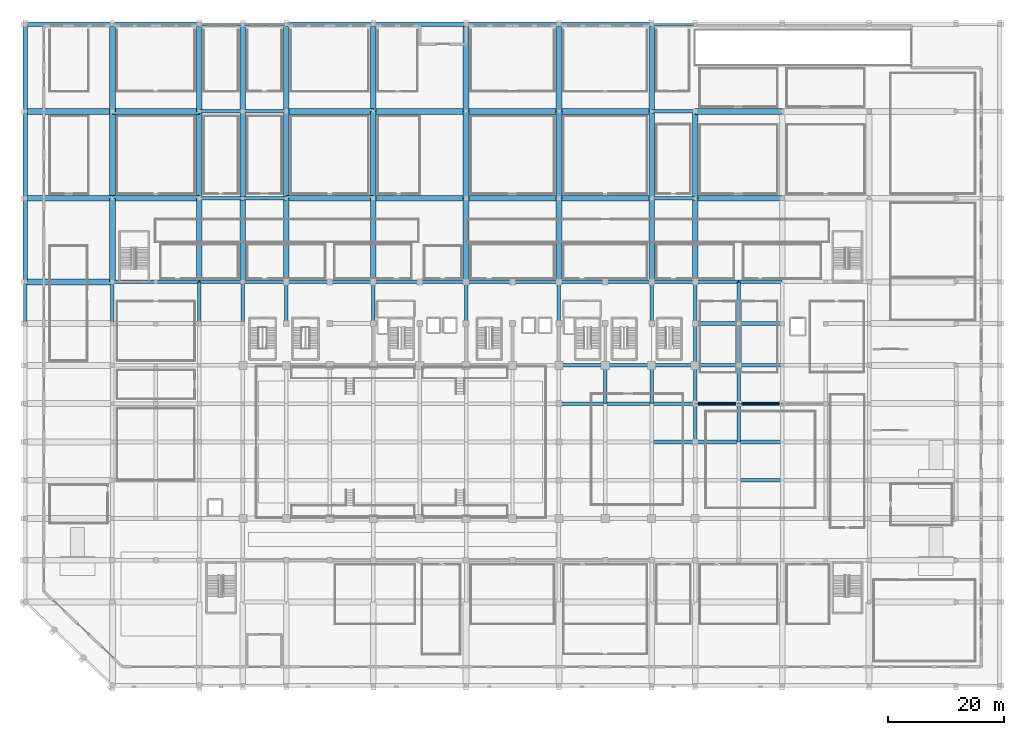
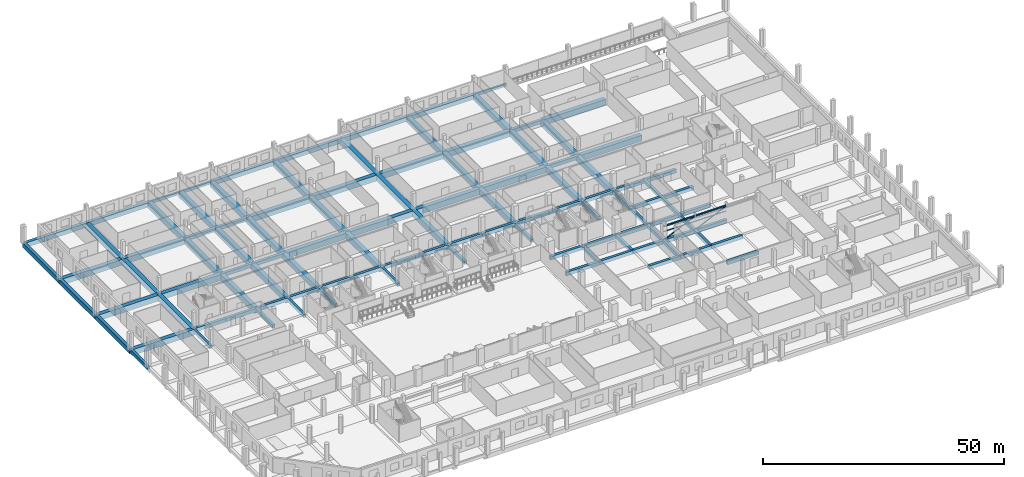
# One storey, part 7 of 33: 111 beams, 4 members.
"""IFC4 building model written with IfcOpenShell, lengths in metres."""

from ifc_helpers import new_model, si_unit, direction, frame, origin, origin_2d, place, context, subcontext, project, spatial, rectangle, hollow_rectangle, hollow_circle, i_section, extrude, material, material_profile, profile_set, type_object, element, save


model = new_model("IFC4")

# Units and contexts
model_context = context("Model", 3, precision=1e-05, world=origin(), true_north=direction((0.0, 1.0)))
body_context = subcontext(model_context, "Body", "Model", "MODEL_VIEW")
ifc_project = project(units=[si_unit("LENGTHUNIT", "METRE"), si_unit("AREAUNIT", "SQUARE_METRE"), si_unit("VOLUMEUNIT", "CUBIC_METRE"), si_unit("PLANEANGLEUNIT", "RADIAN"), si_unit("MASSUNIT", "GRAM", prefix="KILO")], contexts=[model_context])

# Site, building, storey
site_placement = place(None, origin())
site = spatial("IfcSite", under=ifc_project, at=site_placement, CompositionType="ELEMENT")
building_placement = place(site_placement, origin())
building = spatial("IfcBuilding", under=site, at=building_placement, Name="Akrevak Sports Hall", CompositionType="ELEMENT")
storey_placement = place(building_placement, origin())
storey = spatial("IfcBuildingStorey", under=building, at=storey_placement, Name="L00", CompositionType="ELEMENT", Elevation=0.0)

# Beams
ifc_material_1 = material(Name="Concrete C50/60", Category="concrete")
ifc_material_profile_1 = material_profile(ifc_material_1, rectangle(XDim=1.0, YDim=1.449951171875, at=origin_2d()), Name="BM 1000x1450", Category="concrete")
ifc_profile_set_1 = profile_set([ifc_material_profile_1], Name="Concrete C50/60")
beam_type_1 = type_object("IfcBeamType", Name="STR-BM-LG1000x1450", PredefinedType="BEAM", material=ifc_profile_set_1)
for number, where, z_axis, x_axis, name in (
    (1, (0.0, 69.60009765625, -0.72509765625), (1.0, 0.0, 0.0), (0.0, 1.0, 0.0), "Girder K/1-3 (L00)"),
    (2, (0.0, 84.0, -0.72509765625), (1.0, 0.0, 0.0), (0.0, 1.0, 0.0), "Girder M/1-3 (L00)"),
    (3, (15.0, 84.0, -0.72509765625), (1.0, 0.0, 0.0), (0.0, 1.0, 0.0), "Girder M/3-5 (L00)"),
    (4, (45.0, 84.0, -0.72509765625), (1.0, 0.0, 0.0), (0.0, 1.0, 0.0), "Girder M/7-9 (L00)"),
):
    element("IfcBeam", number, at=place(storey_placement, frame(where, z_axis=z_axis, x_axis=x_axis)), inside=storey, type_object=beam_type_1, Name=name, PredefinedType="BEAM", context=body_context, shape_type="SweptSolid", body=[
        extrude(rectangle(XDim=1.0, YDim=1.449951171875, at=origin_2d()), origin(), (0.0, 0.0, 1.0), 15.0),
    ])
for number, where, z_axis, x_axis, name in (
    (5, (60.0, 84.0, -0.72509765625), (1.0, 0.0, 0.0), (0.0, 1.0, 0.0), "Girder M/9-11 (L00)"),
    (6, (76.0, 84.0, -0.72509765625), (1.0, 0.0, 0.0), (0.0, 1.0, 0.0), "Girder M/11-13 (L00)"),
    (7, (92.0, 84.0, -0.72509765625), (1.0, 0.0, 0.0), (0.0, 1.0, 0.0), "Girder M/13-15 (L00)"),
):
    element("IfcBeam", number, at=place(storey_placement, frame(where, z_axis=z_axis, x_axis=x_axis)), inside=storey, type_object=beam_type_1, Name=name, PredefinedType="BEAM", context=body_context, shape_type="SweptSolid", body=[
        extrude(rectangle(XDim=1.0, YDim=1.449951171875, at=origin_2d()), origin(), (0.0, 0.0, 1.0), 16.0),
    ])
for number, where, z_axis, x_axis, name in (
    (8, (115.5, 84.0, -0.72509765625), (1.0, 0.0, 0.0), (0.0, 1.0, 0.0), "Girder M/16-18 (L00)"),
    (9, (0.0, 99.0, -0.72509765625), (1.0, 0.0, 0.0), (0.0, 1.0, 0.0), "Girder O/1-3 (L00)"),
    (10, (15.0, 99.0, -0.72509765625), (1.0, 0.0, 0.0), (0.0, 1.0, 0.0), "Girder O/3-5 (L00)"),
    (11, (45.0, 99.0, -0.72509765625), (1.0, 0.0, 0.0), (0.0, 1.0, 0.0), "Girder O/7-9 (L00)"),
):
    element("IfcBeam", number, at=place(storey_placement, frame(where, z_axis=z_axis, x_axis=x_axis)), inside=storey, type_object=beam_type_1, Name=name, PredefinedType="BEAM", context=body_context, shape_type="SweptSolid", body=[
        extrude(rectangle(XDim=1.0, YDim=1.449951171875, at=origin_2d()), origin(), (0.0, 0.0, 1.0), 15.0),
    ])
for number, where, z_axis, x_axis, name in (
    (12, (60.0, 99.0, -0.72509765625), (1.0, 0.0, 0.0), (0.0, 1.0, 0.0), "Girder O/9-11 (L00)"),
    (13, (76.0, 99.0, -0.72509765625), (1.0, 0.0, 0.0), (0.0, 1.0, 0.0), "Girder O/11-13 (L00)"),
    (14, (92.0, 99.0, -0.72509765625), (1.0, 0.0, 0.0), (0.0, 1.0, 0.0), "Girder O/13-15 (L00)"),
):
    element("IfcBeam", number, at=place(storey_placement, frame(where, z_axis=z_axis, x_axis=x_axis)), inside=storey, type_object=beam_type_1, Name=name, PredefinedType="BEAM", context=body_context, shape_type="SweptSolid", body=[
        extrude(rectangle(XDim=1.0, YDim=1.449951171875, at=origin_2d()), origin(), (0.0, 0.0, 1.0), 16.0),
    ])
beam_1_placement = place(storey_placement, frame((115.5, 99.0, -0.72509765625), z_axis=(1.0, 0.0, 0.0), x_axis=(0.0, 1.0, 0.0)))
element("IfcBeam", 15, at=beam_1_placement, inside=storey, type_object=beam_type_1, Name="Girder O/16-18 (L00)", PredefinedType="BEAM", context=body_context, shape_type="SweptSolid", body=[
    extrude(rectangle(XDim=1.0, YDim=1.449951171875, at=origin_2d()), origin(), (0.0, 0.0, 1.0), 15.0),
])
beam_2_placement = place(storey_placement, frame((15.0, 69.60009765625, -0.72509765625), z_axis=(0.0, 1.0, 0.0), x_axis=(-1.0, 0.0, 0.0)))
element("IfcBeam", 16, at=beam_2_placement, inside=storey, type_object=beam_type_1, Name="Girder 3/K-M (L00)", PredefinedType="BEAM", context=body_context, shape_type="SweptSolid", body=[
    extrude(rectangle(XDim=1.0, YDim=1.449951171875, at=origin_2d()), origin(), (0.0, 0.0, 1.0), 14.39990234375),
])
for number, where, z_axis, x_axis, name in (
    (17, (15.0, 84.0, -0.72509765625), (0.0, 1.0, 0.0), (-1.0, 0.0, 0.0), "Girder 3/M-O (L00)"),
    (18, (15.0, 99.0, -0.72509765625), (0.0, 1.0, 0.0), (-1.0, 0.0, 0.0), "Girder 3/O-Q (L00)"),
):
    element("IfcBeam", number, at=place(storey_placement, frame(where, z_axis=z_axis, x_axis=x_axis)), inside=storey, type_object=beam_type_1, Name=name, PredefinedType="BEAM", context=body_context, shape_type="SweptSolid", body=[
        extrude(rectangle(XDim=1.0, YDim=1.449951171875, at=origin_2d()), origin(), (0.0, 0.0, 1.0), 15.0),
    ])
beam_3_placement = place(storey_placement, frame((30.0, 69.60009765625, -0.72509765625), z_axis=(0.0, 1.0, 0.0), x_axis=(-1.0, 0.0, 0.0)))
element("IfcBeam", 19, at=beam_3_placement, inside=storey, type_object=beam_type_1, Name="Girder 5/K-M (L00)", PredefinedType="BEAM", context=body_context, shape_type="SweptSolid", body=[
    extrude(rectangle(XDim=1.0, YDim=1.449951171875, at=origin_2d()), origin(), (0.0, 0.0, 1.0), 14.39990234375),
])
for number, where, z_axis, x_axis, name in (
    (20, (30.0, 84.0, -0.72509765625), (0.0, 1.0, 0.0), (-1.0, 0.0, 0.0), "Girder 5/M-O (L00)"),
    (21, (30.0, 99.0, -0.72509765625), (0.0, 1.0, 0.0), (-1.0, 0.0, 0.0), "Girder 5/O-Q (L00)"),
):
    element("IfcBeam", number, at=place(storey_placement, frame(where, z_axis=z_axis, x_axis=x_axis)), inside=storey, type_object=beam_type_1, Name=name, PredefinedType="BEAM", context=body_context, shape_type="SweptSolid", body=[
        extrude(rectangle(XDim=1.0, YDim=1.449951171875, at=origin_2d()), origin(), (0.0, 0.0, 1.0), 15.0),
    ])
beam_4_placement = place(storey_placement, frame((37.5, 69.60009765625, -0.72509765625), z_axis=(0.0, 1.0, 0.0), x_axis=(-1.0, 0.0, 0.0)))
element("IfcBeam", 22, at=beam_4_placement, inside=storey, type_object=beam_type_1, Name="Girder 6/K-M (L00)", PredefinedType="BEAM", context=body_context, shape_type="SweptSolid", body=[
    extrude(rectangle(XDim=1.0, YDim=1.449951171875, at=origin_2d()), origin(), (0.0, 0.0, 1.0), 14.39990234375),
])
for number, where, z_axis, x_axis, name in (
    (23, (37.5, 84.0, -0.72509765625), (0.0, 1.0, 0.0), (-1.0, 0.0, 0.0), "Girder 6/M-O (L00)"),
    (24, (37.5, 99.0, -0.72509765625), (0.0, 1.0, 0.0), (-1.0, 0.0, 0.0), "Girder 6/O-Q (L00)"),
):
    element("IfcBeam", number, at=place(storey_placement, frame(where, z_axis=z_axis, x_axis=x_axis)), inside=storey, type_object=beam_type_1, Name=name, PredefinedType="BEAM", context=body_context, shape_type="SweptSolid", body=[
        extrude(rectangle(XDim=1.0, YDim=1.449951171875, at=origin_2d()), origin(), (0.0, 0.0, 1.0), 15.0),
    ])
beam_5_placement = place(storey_placement, frame((45.0, 69.60009765625, -0.72509765625), z_axis=(0.0, 1.0, 0.0), x_axis=(-1.0, 0.0, 0.0)))
element("IfcBeam", 25, at=beam_5_placement, inside=storey, type_object=beam_type_1, Name="Girder 7/K-M (L00)", PredefinedType="BEAM", context=body_context, shape_type="SweptSolid", body=[
    extrude(rectangle(XDim=1.0, YDim=1.449951171875, at=origin_2d()), origin(), (0.0, 0.0, 1.0), 14.39990234375),
])
for number, where, z_axis, x_axis, name in (
    (26, (45.0, 84.0, -0.72509765625), (0.0, 1.0, 0.0), (-1.0, 0.0, 0.0), "Girder 7/M-O (L00)"),
    (27, (45.0, 99.0, -0.72509765625), (0.0, 1.0, 0.0), (-1.0, 0.0, 0.0), "Girder 7/O-Q (L00)"),
):
    element("IfcBeam", number, at=place(storey_placement, frame(where, z_axis=z_axis, x_axis=x_axis)), inside=storey, type_object=beam_type_1, Name=name, PredefinedType="BEAM", context=body_context, shape_type="SweptSolid", body=[
        extrude(rectangle(XDim=1.0, YDim=1.449951171875, at=origin_2d()), origin(), (0.0, 0.0, 1.0), 15.0),
    ])
beam_6_placement = place(storey_placement, frame((60.0, 69.60009765625, -0.72509765625), z_axis=(0.0, 1.0, 0.0), x_axis=(-1.0, 0.0, 0.0)))
element("IfcBeam", 28, at=beam_6_placement, inside=storey, type_object=beam_type_1, Name="Girder 9/K-M (L00)", PredefinedType="BEAM", context=body_context, shape_type="SweptSolid", body=[
    extrude(rectangle(XDim=1.0, YDim=1.449951171875, at=origin_2d()), origin(), (0.0, 0.0, 1.0), 14.39990234375),
])
for number, where, z_axis, x_axis, name in (
    (29, (60.0, 84.0, -0.72509765625), (0.0, 1.0, 0.0), (-1.0, 0.0, 0.0), "Girder 9/M-O (L00)"),
    (30, (60.0, 99.0, -0.72509765625), (0.0, 1.0, 0.0), (-1.0, 0.0, 0.0), "Girder 9/O-Q (L00)"),
):
    element("IfcBeam", number, at=place(storey_placement, frame(where, z_axis=z_axis, x_axis=x_axis)), inside=storey, type_object=beam_type_1, Name=name, PredefinedType="BEAM", context=body_context, shape_type="SweptSolid", body=[
        extrude(rectangle(XDim=1.0, YDim=1.449951171875, at=origin_2d()), origin(), (0.0, 0.0, 1.0), 15.0),
    ])
beam_7_placement = place(storey_placement, frame((76.0, 69.60009765625, -0.72509765625), z_axis=(0.0, 1.0, 0.0), x_axis=(-1.0, 0.0, 0.0)))
element("IfcBeam", 31, at=beam_7_placement, inside=storey, type_object=beam_type_1, Name="Girder 11/K-M (L00)", PredefinedType="BEAM", context=body_context, shape_type="SweptSolid", body=[
    extrude(rectangle(XDim=1.0, YDim=1.449951171875, at=origin_2d()), origin(), (0.0, 0.0, 1.0), 14.39990234375),
])
for number, where, z_axis, x_axis, name in (
    (32, (76.0, 84.0, -0.72509765625), (0.0, 1.0, 0.0), (-1.0, 0.0, 0.0), "Girder 11/M-O (L00)"),
    (33, (76.0, 99.0, -0.72509765625), (0.0, 1.0, 0.0), (-1.0, 0.0, 0.0), "Girder 11/O-Q (L00)"),
):
    element("IfcBeam", number, at=place(storey_placement, frame(where, z_axis=z_axis, x_axis=x_axis)), inside=storey, type_object=beam_type_1, Name=name, PredefinedType="BEAM", context=body_context, shape_type="SweptSolid", body=[
        extrude(rectangle(XDim=1.0, YDim=1.449951171875, at=origin_2d()), origin(), (0.0, 0.0, 1.0), 15.0),
    ])
beam_8_placement = place(storey_placement, frame((92.0, 69.60009765625, -0.72509765625), z_axis=(0.0, 1.0, 0.0), x_axis=(-1.0, 0.0, 0.0)))
element("IfcBeam", 34, at=beam_8_placement, inside=storey, type_object=beam_type_1, Name="Girder 13/K-M (L00)", PredefinedType="BEAM", context=body_context, shape_type="SweptSolid", body=[
    extrude(rectangle(XDim=1.0, YDim=1.449951171875, at=origin_2d()), origin(), (0.0, 0.0, 1.0), 14.39990234375),
])
for number, where, z_axis, x_axis, name in (
    (35, (92.0, 84.0, -0.72509765625), (0.0, 1.0, 0.0), (-1.0, 0.0, 0.0), "Girder 13/M-O (L00)"),
    (36, (92.0, 99.0, -0.72509765625), (0.0, 1.0, 0.0), (-1.0, 0.0, 0.0), "Girder 13/O-Q (L00)"),
):
    element("IfcBeam", number, at=place(storey_placement, frame(where, z_axis=z_axis, x_axis=x_axis)), inside=storey, type_object=beam_type_1, Name=name, PredefinedType="BEAM", context=body_context, shape_type="SweptSolid", body=[
        extrude(rectangle(XDim=1.0, YDim=1.449951171875, at=origin_2d()), origin(), (0.0, 0.0, 1.0), 15.0),
    ])
beam_9_placement = place(storey_placement, frame((108.0, 69.60009765625, -0.72509765625), z_axis=(0.0, 1.0, 0.0), x_axis=(-1.0, 0.0, 0.0)))
element("IfcBeam", 37, at=beam_9_placement, inside=storey, type_object=beam_type_1, Name="Girder 15/K-M (L00)", PredefinedType="BEAM", context=body_context, shape_type="SweptSolid", body=[
    extrude(rectangle(XDim=1.0, YDim=1.449951171875, at=origin_2d()), origin(), (0.0, 0.0, 1.0), 14.39990234375),
])
for number, where, z_axis, x_axis, name in (
    (38, (108.0, 84.0, -0.72509765625), (0.0, 1.0, 0.0), (-1.0, 0.0, 0.0), "Girder 15/M-O (L00)"),
    (39, (108.0, 99.0, -0.72509765625), (0.0, 1.0, 0.0), (-1.0, 0.0, 0.0), "Girder 15/O-Q (L00)"),
):
    element("IfcBeam", number, at=place(storey_placement, frame(where, z_axis=z_axis, x_axis=x_axis)), inside=storey, type_object=beam_type_1, Name=name, PredefinedType="BEAM", context=body_context, shape_type="SweptSolid", body=[
        extrude(rectangle(XDim=1.0, YDim=1.449951171875, at=origin_2d()), origin(), (0.0, 0.0, 1.0), 15.0),
    ])
beam_10_placement = place(storey_placement, frame((115.5, 69.60009765625, -0.72509765625), z_axis=(0.0, 1.0, 0.0), x_axis=(-1.0, 0.0, 0.0)))
element("IfcBeam", 40, at=beam_10_placement, inside=storey, type_object=beam_type_1, Name="Girder 16/K-M (L00)", PredefinedType="BEAM", context=body_context, shape_type="SweptSolid", body=[
    extrude(rectangle(XDim=1.0, YDim=1.449951171875, at=origin_2d()), origin(), (0.0, 0.0, 1.0), 14.39990234375),
])
beam_11_placement = place(storey_placement, frame((115.5, 84.0, -0.72509765625), z_axis=(0.0, 1.0, 0.0), x_axis=(-1.0, 0.0, 0.0)))
element("IfcBeam", 41, at=beam_11_placement, inside=storey, type_object=beam_type_1, Name="Girder 16/M-O (L00)", PredefinedType="BEAM", context=body_context, shape_type="SweptSolid", body=[
    extrude(rectangle(XDim=1.0, YDim=1.449951171875, at=origin_2d()), origin(), (0.0, 0.0, 1.0), 15.0),
])
ifc_material_2 = material(Name="Concrete C40/50", Category="concrete")
ifc_material_profile_2 = material_profile(ifc_material_2, rectangle(XDim=0.60009765625, YDim=0.85009765625, at=origin_2d()), Name="BM 600x850", Category="concrete")
ifc_profile_set_2 = profile_set([ifc_material_profile_2], Name="Concrete C40/50")
beam_type_2 = type_object("IfcBeamType", Name="STR-BM-RC600x850", PredefinedType="BEAM", material=ifc_profile_set_2)
for number, where, z_axis, x_axis, name in (
    (42, (0.0, 62.39990234375, -0.425048828125), (0.0, 1.0, 0.0), (-1.0, 0.0, 0.0), "Girder 1/J-K (L00)"),
    (43, (15.0, 62.39990234375, -0.425048828125), (0.0, 1.0, 0.0), (-1.0, 0.0, 0.0), "Girder 3/J-K (L00)"),
    (44, (30.0, 62.39990234375, -0.425048828125), (0.0, 1.0, 0.0), (-1.0, 0.0, 0.0), "Girder 5/J-K (L00)"),
    (45, (37.5, 62.39990234375, -0.425048828125), (0.0, 1.0, 0.0), (-1.0, 0.0, 0.0), "Girder 6/J-K (L00)"),
    (46, (45.0, 62.39990234375, -0.425048828125), (0.0, 1.0, 0.0), (-1.0, 0.0, 0.0), "Girder 7/J-K (L00)"),
    (47, (60.0, 62.39990234375, -0.425048828125), (0.0, 1.0, 0.0), (-1.0, 0.0, 0.0), "Girder 9/J-K (L00)"),
    (48, (76.0, 62.39990234375, -0.425048828125), (0.0, 1.0, 0.0), (-1.0, 0.0, 0.0), "Girder 11/J-K (L00)"),
    (49, (92.0, 62.39990234375, -0.425048828125), (0.0, 1.0, 0.0), (-1.0, 0.0, 0.0), "Girder 13/J-K (L00)"),
):
    element("IfcBeam", number, at=place(storey_placement, frame(where, z_axis=z_axis, x_axis=x_axis)), inside=storey, type_object=beam_type_2, Name=name, PredefinedType="BEAM", context=body_context, shape_type="SweptSolid", body=[
        extrude(rectangle(XDim=0.60009765625, YDim=0.85009765625, at=origin_2d()), origin(), (0.0, 0.0, 1.0), 7.2001953125),
    ])
for number, where, z_axis, x_axis, name in (
    (50, (100.0, 48.60009765625, -0.425048828125), (0.0, 1.0, 0.0), (-1.0, 0.0, 0.0), "Girder 14/H-I (L00)"),
    (51, (108.0, 48.60009765625, -0.425048828125), (0.0, 1.0, 0.0), (-1.0, 0.0, 0.0), "Girder 15/H-I (L00)"),
):
    element("IfcBeam", number, at=place(storey_placement, frame(where, z_axis=z_axis, x_axis=x_axis)), inside=storey, type_object=beam_type_2, Name=name, PredefinedType="BEAM", context=body_context, shape_type="SweptSolid", body=[
        extrude(rectangle(XDim=0.60009765625, YDim=0.85009765625, at=origin_2d()), origin(), (0.0, 0.0, 1.0), 6.599853515625),
    ])
beam_12_placement = place(storey_placement, frame((108.0, 62.39990234375, -0.425048828125), z_axis=(0.0, 1.0, 0.0), x_axis=(-1.0, 0.0, 0.0)))
element("IfcBeam", 52, at=beam_12_placement, inside=storey, type_object=beam_type_2, Name="Girder 15/J-K (L00)", PredefinedType="BEAM", context=body_context, shape_type="SweptSolid", body=[
    extrude(rectangle(XDim=0.60009765625, YDim=0.85009765625, at=origin_2d()), origin(), (0.0, 0.0, 1.0), 7.2001953125),
])
beam_13_placement = place(storey_placement, frame((115.5, 42.0, -0.425048828125), z_axis=(0.0, 1.0, 0.0), x_axis=(-1.0, 0.0, 0.0)))
element("IfcBeam", 53, at=beam_13_placement, inside=storey, type_object=beam_type_2, Name="Girder 16/G-H (L00)", PredefinedType="BEAM", context=body_context, shape_type="SweptSolid", body=[
    extrude(rectangle(XDim=0.60009765625, YDim=0.85009765625, at=origin_2d()), origin(), (0.0, 0.0, 1.0), 6.60009765625),
])
beam_14_placement = place(storey_placement, frame((115.5, 48.60009765625, -0.425048828125), z_axis=(0.0, 1.0, 0.0), x_axis=(-1.0, 0.0, 0.0)))
element("IfcBeam", 54, at=beam_14_placement, inside=storey, type_object=beam_type_2, Name="Girder 16/H-I (L00)", PredefinedType="BEAM", context=body_context, shape_type="SweptSolid", body=[
    extrude(rectangle(XDim=0.60009765625, YDim=0.85009765625, at=origin_2d()), origin(), (0.0, 0.0, 1.0), 6.599853515625),
])
beam_15_placement = place(storey_placement, frame((115.5, 55.199951171875, -0.425048828125), z_axis=(0.0, 1.0, 0.0), x_axis=(-1.0, 0.0, 0.0)))
element("IfcBeam", 55, at=beam_15_placement, inside=storey, type_object=beam_type_2, Name="Girder 16/I-J (L00)", PredefinedType="BEAM", context=body_context, shape_type="SweptSolid", body=[
    extrude(rectangle(XDim=0.60009765625, YDim=0.85009765625, at=origin_2d()), origin(), (0.0, 0.0, 1.0), 7.199951171875),
])
beam_16_placement = place(storey_placement, frame((115.5, 62.39990234375, -0.425048828125), z_axis=(0.0, 1.0, 0.0), x_axis=(-1.0, 0.0, 0.0)))
element("IfcBeam", 56, at=beam_16_placement, inside=storey, type_object=beam_type_2, Name="Girder 16/J-K (L00)", PredefinedType="BEAM", context=body_context, shape_type="SweptSolid", body=[
    extrude(rectangle(XDim=0.60009765625, YDim=0.85009765625, at=origin_2d()), origin(), (0.0, 0.0, 1.0), 7.2001953125),
])
beam_17_placement = place(storey_placement, frame((123.0, 42.0, -0.425048828125), z_axis=(0.0, 1.0, 0.0), x_axis=(-1.0, 0.0, 0.0)))
element("IfcBeam", 57, at=beam_17_placement, inside=storey, type_object=beam_type_2, Name="Girder 17/G-H (L00)", PredefinedType="BEAM", context=body_context, shape_type="SweptSolid", body=[
    extrude(rectangle(XDim=0.60009765625, YDim=0.85009765625, at=origin_2d()), origin(), (0.0, 0.0, 1.0), 6.60009765625),
])
beam_18_placement = place(storey_placement, frame((123.0, 48.60009765625, -0.425048828125), z_axis=(0.0, 1.0, 0.0), x_axis=(-1.0, 0.0, 0.0)))
element("IfcBeam", 58, at=beam_18_placement, inside=storey, type_object=beam_type_2, Name="Girder 17/H-I (L00)", PredefinedType="BEAM", context=body_context, shape_type="SweptSolid", body=[
    extrude(rectangle(XDim=0.60009765625, YDim=0.85009765625, at=origin_2d()), origin(), (0.0, 0.0, 1.0), 6.599853515625),
])
beam_19_placement = place(storey_placement, frame((123.0, 55.199951171875, -0.425048828125), z_axis=(0.0, 1.0, 0.0), x_axis=(-1.0, 0.0, 0.0)))
element("IfcBeam", 59, at=beam_19_placement, inside=storey, type_object=beam_type_2, Name="Girder 17/I-J (L00)", PredefinedType="BEAM", context=body_context, shape_type="SweptSolid", body=[
    extrude(rectangle(XDim=0.60009765625, YDim=0.85009765625, at=origin_2d()), origin(), (0.0, 0.0, 1.0), 7.199951171875),
])
beam_20_placement = place(storey_placement, frame((123.0, 62.39990234375, -0.425048828125), z_axis=(0.0, 1.0, 0.0), x_axis=(-1.0, 0.0, 0.0)))
element("IfcBeam", 60, at=beam_20_placement, inside=storey, type_object=beam_type_2, Name="Girder 17/J-K (L00)", PredefinedType="BEAM", context=body_context, shape_type="SweptSolid", body=[
    extrude(rectangle(XDim=0.60009765625, YDim=0.85009765625, at=origin_2d()), origin(), (0.0, 0.0, 1.0), 7.2001953125),
])
ifc_material_profile_3 = material_profile(ifc_material_2, rectangle(XDim=0.64990234375, YDim=0.89990234375, at=origin_2d()), Name="BM 650x900", Category="concrete")
ifc_profile_set_3 = profile_set([ifc_material_profile_3], Name="Concrete C40/50")
beam_type_3 = type_object("IfcBeamType", Name="STR-BM-RC650x900", PredefinedType="BEAM", material=ifc_profile_set_3)
for number, where, z_axis, x_axis, name in (
    (61, (123.0, 35.39990234375, -0.449951171875), (1.0, 0.0, 0.0), (0.0, 1.0, 0.0), "Girder F/17-18 (L00)"),
    (62, (108.0, 42.0, -0.449951171875), (1.0, 0.0, 0.0), (0.0, 1.0, 0.0), "Girder G/15-16 (L00)"),
    (63, (115.5, 42.0, -0.449951171875), (1.0, 0.0, 0.0), (0.0, 1.0, 0.0), "Girder G/16-17 (L00)"),
    (64, (123.0, 42.0, -0.449951171875), (1.0, 0.0, 0.0), (0.0, 1.0, 0.0), "Girder G/17-18 (L00)"),
):
    element("IfcBeam", number, at=place(storey_placement, frame(where, z_axis=z_axis, x_axis=x_axis)), inside=storey, type_object=beam_type_3, Name=name, PredefinedType="BEAM", context=body_context, shape_type="SweptSolid", body=[
        extrude(rectangle(XDim=0.64990234375, YDim=0.89990234375, at=origin_2d()), origin(), (0.0, 0.0, 1.0), 7.5),
    ])
for number, where, z_axis, x_axis, name in (
    (65, (92.0, 48.60009765625, -0.449951171875), (1.0, 0.0, 0.0), (0.0, 1.0, 0.0), "Girder H/13-14 (L00)"),
    (66, (100.0, 48.60009765625, -0.449951171875), (1.0, 0.0, 0.0), (0.0, 1.0, 0.0), "Girder H/14-15 (L00)"),
):
    element("IfcBeam", number, at=place(storey_placement, frame(where, z_axis=z_axis, x_axis=x_axis)), inside=storey, type_object=beam_type_3, Name=name, PredefinedType="BEAM", context=body_context, shape_type="SweptSolid", body=[
        extrude(rectangle(XDim=0.64990234375, YDim=0.89990234375, at=origin_2d()), origin(), (0.0, 0.0, 1.0), 8.0),
    ])
for number, where, z_axis, x_axis, name in (
    (67, (108.0, 48.60009765625, -0.449951171875), (1.0, 0.0, 0.0), (0.0, 1.0, 0.0), "Girder H/15-16 (L00)"),
    (68, (115.5, 48.60009765625, -0.449951171875), (1.0, 0.0, 0.0), (0.0, 1.0, 0.0), "Girder H/16-17 (L00)"),
    (69, (123.0, 48.60009765625, -0.449951171875), (1.0, 0.0, 0.0), (0.0, 1.0, 0.0), "Girder H/17-18 (L00)"),
):
    element("IfcBeam", number, at=place(storey_placement, frame(where, z_axis=z_axis, x_axis=x_axis)), inside=storey, type_object=beam_type_3, Name=name, PredefinedType="BEAM", context=body_context, shape_type="SweptSolid", body=[
        extrude(rectangle(XDim=0.64990234375, YDim=0.89990234375, at=origin_2d()), origin(), (0.0, 0.0, 1.0), 7.5),
    ])
for number, where, z_axis, x_axis, name in (
    (70, (92.0, 55.199951171875, -0.449951171875), (1.0, 0.0, 0.0), (0.0, 1.0, 0.0), "Girder I/13-14 (L00)"),
    (71, (100.0, 55.199951171875, -0.449951171875), (1.0, 0.0, 0.0), (0.0, 1.0, 0.0), "Girder I/14-15 (L00)"),
):
    element("IfcBeam", number, at=place(storey_placement, frame(where, z_axis=z_axis, x_axis=x_axis)), inside=storey, type_object=beam_type_3, Name=name, PredefinedType="BEAM", context=body_context, shape_type="SweptSolid", body=[
        extrude(rectangle(XDim=0.64990234375, YDim=0.89990234375, at=origin_2d()), origin(), (0.0, 0.0, 1.0), 8.0),
    ])
for number, where, z_axis, x_axis, name in (
    (72, (108.0, 55.199951171875, -0.449951171875), (1.0, 0.0, 0.0), (0.0, 1.0, 0.0), "Girder I/15-16 (L00)"),
    (73, (115.5, 55.199951171875, -0.449951171875), (1.0, 0.0, 0.0), (0.0, 1.0, 0.0), "Girder I/16-17 (L00)"),
    (74, (123.0, 55.199951171875, -0.449951171875), (1.0, 0.0, 0.0), (0.0, 1.0, 0.0), "Girder I/17-18 (L00)"),
    (75, (115.5, 62.39990234375, -0.449951171875), (1.0, 0.0, 0.0), (0.0, 1.0, 0.0), "Girder J/16-17 (L00)"),
    (76, (123.0, 62.39990234375, -0.449951171875), (1.0, 0.0, 0.0), (0.0, 1.0, 0.0), "Girder J/17-18 (L00)"),
    (77, (15.0, 69.60009765625, -0.449951171875), (1.0, 0.0, 0.0), (0.0, 1.0, 0.0), "Girder K/3-4 (L00)"),
    (78, (22.5, 69.60009765625, -0.449951171875), (1.0, 0.0, 0.0), (0.0, 1.0, 0.0), "Girder K/4-5 (L00)"),
    (79, (30.0, 69.60009765625, -0.449951171875), (1.0, 0.0, 0.0), (0.0, 1.0, 0.0), "Girder K/5-6 (L00)"),
    (80, (37.5, 69.60009765625, -0.449951171875), (1.0, 0.0, 0.0), (0.0, 1.0, 0.0), "Girder K/6-7 (L00)"),
    (81, (45.0, 69.60009765625, -0.449951171875), (1.0, 0.0, 0.0), (0.0, 1.0, 0.0), "Girder K/7-8 (L00)"),
    (82, (52.5, 69.60009765625, -0.449951171875), (1.0, 0.0, 0.0), (0.0, 1.0, 0.0), "Girder K/8-9 (L00)"),
):
    element("IfcBeam", number, at=place(storey_placement, frame(where, z_axis=z_axis, x_axis=x_axis)), inside=storey, type_object=beam_type_3, Name=name, PredefinedType="BEAM", context=body_context, shape_type="SweptSolid", body=[
        extrude(rectangle(XDim=0.64990234375, YDim=0.89990234375, at=origin_2d()), origin(), (0.0, 0.0, 1.0), 7.5),
    ])
for number, where, z_axis, x_axis, name in (
    (83, (60.0, 69.60009765625, -0.449951171875), (1.0, 0.0, 0.0), (0.0, 1.0, 0.0), "Girder K/9-10 (L00)"),
    (84, (68.0, 69.60009765625, -0.449951171875), (1.0, 0.0, 0.0), (0.0, 1.0, 0.0), "Girder K/10-11 (L00)"),
    (85, (76.0, 69.60009765625, -0.449951171875), (1.0, 0.0, 0.0), (0.0, 1.0, 0.0), "Girder K/11-12 (L00)"),
    (86, (84.0, 69.60009765625, -0.449951171875), (1.0, 0.0, 0.0), (0.0, 1.0, 0.0), "Girder K/12-13 (L00)"),
    (87, (92.0, 69.60009765625, -0.449951171875), (1.0, 0.0, 0.0), (0.0, 1.0, 0.0), "Girder K/13-14 (L00)"),
    (88, (100.0, 69.60009765625, -0.449951171875), (1.0, 0.0, 0.0), (0.0, 1.0, 0.0), "Girder K/14-15 (L00)"),
):
    element("IfcBeam", number, at=place(storey_placement, frame(where, z_axis=z_axis, x_axis=x_axis)), inside=storey, type_object=beam_type_3, Name=name, PredefinedType="BEAM", context=body_context, shape_type="SweptSolid", body=[
        extrude(rectangle(XDim=0.64990234375, YDim=0.89990234375, at=origin_2d()), origin(), (0.0, 0.0, 1.0), 8.0),
    ])
for number, where, z_axis, x_axis, name in (
    (89, (108.0, 69.60009765625, -0.449951171875), (1.0, 0.0, 0.0), (0.0, 1.0, 0.0), "Girder K/15-16 (L00)"),
    (90, (115.5, 69.60009765625, -0.449951171875), (1.0, 0.0, 0.0), (0.0, 1.0, 0.0), "Girder K/16-17 (L00)"),
    (91, (123.0, 69.60009765625, -0.449951171875), (1.0, 0.0, 0.0), (0.0, 1.0, 0.0), "Girder K/17-18 (L00)"),
    (92, (30.0, 84.0, -0.449951171875), (1.0, 0.0, 0.0), (0.0, 1.0, 0.0), "Girder M/5-6 (L00)"),
    (93, (37.5, 84.0, -0.449951171875), (1.0, 0.0, 0.0), (0.0, 1.0, 0.0), "Girder M/6-7 (L00)"),
    (94, (108.0, 84.0, -0.449951171875), (1.0, 0.0, 0.0), (0.0, 1.0, 0.0), "Girder M/15-16 (L00)"),
    (95, (30.0, 99.0, -0.449951171875), (1.0, 0.0, 0.0), (0.0, 1.0, 0.0), "Girder O/5-6 (L00)"),
    (96, (37.5, 99.0, -0.449951171875), (1.0, 0.0, 0.0), (0.0, 1.0, 0.0), "Girder O/6-7 (L00)"),
    (97, (108.0, 99.0, -0.449951171875), (1.0, 0.0, 0.0), (0.0, 1.0, 0.0), "Girder O/15-16 (L00)"),
):
    element("IfcBeam", number, at=place(storey_placement, frame(where, z_axis=z_axis, x_axis=x_axis)), inside=storey, type_object=beam_type_3, Name=name, PredefinedType="BEAM", context=body_context, shape_type="SweptSolid", body=[
        extrude(rectangle(XDim=0.64990234375, YDim=0.89990234375, at=origin_2d()), origin(), (0.0, 0.0, 1.0), 7.5),
    ])
ifc_material_3 = material(Name="Steel S355", Category="steel")
ifc_material_profile_4 = material_profile(ifc_material_3, i_section(OverallWidth=0.179931640625, OverallDepth=0.39990234375, WebThickness=0.008544921875, FlangeThickness=0.013427734375, FilletRadius=0.02099609375, at=origin_2d()), Name="IPE 400", Category="steel")
ifc_profile_set_4 = profile_set([ifc_material_profile_4], Name="Steel S355")
beam_type_4 = type_object("IfcBeamType", Name="STR-BM-STL-IPE400", PredefinedType="JOIST", material=ifc_profile_set_4)
for number, where, z_axis, x_axis, name in (
    (98, (115.5, 48.60009765625, 3.35009765625), (1.0, 0.0, 0.0), (0.0, 1.0, 0.0), "Climbing Frame Tie Beam 1 (L00)"),
    (99, (123.0, 48.60009765625, 3.35009765625), (1.0, 0.0, 0.0), (0.0, 1.0, 0.0), "Climbing Frame Tie Beam 2 (L00)"),
):
    element("IfcBeam", number, at=place(storey_placement, frame(where, z_axis=z_axis, x_axis=x_axis)), inside=storey, type_object=beam_type_4, Name=name, PredefinedType="JOIST", context=body_context, shape_type="SweptSolid", body=[
        extrude(i_section(OverallWidth=0.179931640625, OverallDepth=0.39990234375, WebThickness=0.008544921875, FlangeThickness=0.013427734375, FilletRadius=0.02099609375, at=origin_2d()), origin(), (0.0, 0.0, 1.0), 7.5),
    ])

# Members
ifc_material_profile_5 = material_profile(ifc_material_3, hollow_circle(Radius=0.084228515625, WallThickness=0.008056640625, at=origin_2d()), Name="CHS 168.3x8", Category="steel")
ifc_profile_set_5 = profile_set([ifc_material_profile_5], Name="Steel S355")
member_type_1 = type_object("IfcMemberType", Name="STR-MEM-BRACE-CHS168", PredefinedType="BRACE", material=ifc_profile_set_5)
for number, where, z_axis, x_axis, name in (
    (100, (115.5, 48.60009765625, -0.199951171875), (0.906183139995, 0.0, 0.422885465331), (0.0, 1.0, 0.0), "Climbing Wall Diagonal Brace BR-1 (L00)"),
    (101, (123.0, 48.60009765625, -0.199951171875), (0.906183139995, 0.0, 0.422885465331), (0.0, 1.0, 0.0), "Climbing Wall Diagonal Brace BR-2 (L00)"),
):
    element("IfcMember", number, at=place(storey_placement, frame(where, z_axis=z_axis, x_axis=x_axis)), inside=storey, type_object=member_type_1, Name=name, PredefinedType="BRACE", context=body_context, shape_type="SweptSolid", body=[
        extrude(hollow_circle(Radius=0.084228515625, WallThickness=0.008056640625, at=origin_2d()), origin(), (0.0, 0.0, 1.0), 8.2763671875),
    ])
ifc_material_profile_6 = material_profile(ifc_material_3, hollow_rectangle(XDim=0.1201171875, YDim=0.199951171875, WallThickness=0.010009765625, at=origin_2d()), Name="RHS 200x120x10", Category="steel")
ifc_profile_set_6 = profile_set([ifc_material_profile_6], Name="Steel S355")
member_type_2 = type_object("IfcMemberType", Name="STR-MEM-STR-RHS200", PredefinedType="STRINGER", material=ifc_profile_set_6)
for number, where, z_axis, x_axis, name in (
    (102, (115.5, 48.60009765625, 1.97509765625), (1.0, 0.0, 0.0), (0.0, 1.0, 0.0), "Climbing Wall Stringer STG-1 (L00)"),
    (103, (123.0, 48.60009765625, 1.97509765625), (1.0, 0.0, 0.0), (0.0, 1.0, 0.0), "Climbing Wall Stringer STG-2 (L00)"),
):
    element("IfcMember", number, at=place(storey_placement, frame(where, z_axis=z_axis, x_axis=x_axis)), inside=storey, type_object=member_type_2, Name=name, PredefinedType="STRINGER", context=body_context, shape_type="SweptSolid", body=[
        extrude(hollow_rectangle(XDim=0.1201171875, YDim=0.199951171875, WallThickness=0.010009765625, at=origin_2d()), origin(), (0.0, 0.0, 1.0), 7.5),
    ])

# Beams
ifc_material_profile_7 = material_profile(ifc_material_1, rectangle(XDim=0.75, YDim=1.14990234375, at=origin_2d()), Name="SPD 750x1150", Category="concrete")
ifc_profile_set_7 = profile_set([ifc_material_profile_7], Name="Concrete C50/60")
beam_type_5 = type_object("IfcBeamType", Name="STR-SPD-LSP750x1150", PredefinedType="SPANDREL", material=ifc_profile_set_7)
for number, where, z_axis, x_axis, name in (
    (104, (0.0, 114.0, -0.574951171875), (1.0, 0.0, 0.0), (0.0, 1.0, 0.0), "Girder Q/1-3 (L00)"),
    (105, (15.0, 114.0, -0.574951171875), (1.0, 0.0, 0.0), (0.0, 1.0, 0.0), "Girder Q/3-5 (L00)"),
    (106, (45.0, 114.0, -0.574951171875), (1.0, 0.0, 0.0), (0.0, 1.0, 0.0), "Girder Q/7-9 (L00)"),
):
    element("IfcBeam", number, at=place(storey_placement, frame(where, z_axis=z_axis, x_axis=x_axis)), inside=storey, type_object=beam_type_5, Name=name, PredefinedType="SPANDREL", context=body_context, shape_type="SweptSolid", body=[
        extrude(rectangle(XDim=0.75, YDim=1.14990234375, at=origin_2d()), origin(), (0.0, 0.0, 1.0), 15.0),
    ])
for number, where, z_axis, x_axis, name in (
    (107, (60.0, 114.0, -0.574951171875), (1.0, 0.0, 0.0), (0.0, 1.0, 0.0), "Girder Q/9-11 (L00)"),
    (108, (76.0, 114.0, -0.574951171875), (1.0, 0.0, 0.0), (0.0, 1.0, 0.0), "Girder Q/11-13 (L00)"),
    (109, (92.0, 114.0, -0.574951171875), (1.0, 0.0, 0.0), (0.0, 1.0, 0.0), "Girder Q/13-15 (L00)"),
):
    element("IfcBeam", number, at=place(storey_placement, frame(where, z_axis=z_axis, x_axis=x_axis)), inside=storey, type_object=beam_type_5, Name=name, PredefinedType="SPANDREL", context=body_context, shape_type="SweptSolid", body=[
        extrude(rectangle(XDim=0.75, YDim=1.14990234375, at=origin_2d()), origin(), (0.0, 0.0, 1.0), 16.0),
    ])
beam_21_placement = place(storey_placement, frame((0.0, 69.60009765625, -0.574951171875), z_axis=(0.0, 1.0, 0.0), x_axis=(-1.0, 0.0, 0.0)))
element("IfcBeam", 110, at=beam_21_placement, inside=storey, type_object=beam_type_5, Name="Girder 1/K-M (L00)", PredefinedType="SPANDREL", context=body_context, shape_type="SweptSolid", body=[
    extrude(rectangle(XDim=0.75, YDim=1.14990234375, at=origin_2d()), origin(), (0.0, 0.0, 1.0), 14.39990234375),
])
for number, where, z_axis, x_axis, name in (
    (111, (0.0, 84.0, -0.574951171875), (0.0, 1.0, 0.0), (-1.0, 0.0, 0.0), "Girder 1/M-O (L00)"),
    (112, (0.0, 99.0, -0.574951171875), (0.0, 1.0, 0.0), (-1.0, 0.0, 0.0), "Girder 1/O-Q (L00)"),
):
    element("IfcBeam", number, at=place(storey_placement, frame(where, z_axis=z_axis, x_axis=x_axis)), inside=storey, type_object=beam_type_5, Name=name, PredefinedType="SPANDREL", context=body_context, shape_type="SweptSolid", body=[
        extrude(rectangle(XDim=0.75, YDim=1.14990234375, at=origin_2d()), origin(), (0.0, 0.0, 1.0), 15.0),
    ])
ifc_material_profile_8 = material_profile(ifc_material_2, rectangle(XDim=0.35009765625, YDim=0.75, at=origin_2d()), Name="SPD 350x750", Category="concrete")
ifc_profile_set_8 = profile_set([ifc_material_profile_8], Name="Concrete C40/50")
beam_type_6 = type_object("IfcBeamType", Name="STR-SPD-RC350x750", PredefinedType="SPANDREL", material=ifc_profile_set_8)
for number, where, z_axis, x_axis, name in (
    (113, (30.0, 114.0, -0.375), (1.0, 0.0, 0.0), (0.0, 1.0, 0.0), "Girder Q/5-6 (L00)"),
    (114, (37.5, 114.0, -0.375), (1.0, 0.0, 0.0), (0.0, 1.0, 0.0), "Girder Q/6-7 (L00)"),
    (115, (108.0, 114.0, -0.375), (1.0, 0.0, 0.0), (0.0, 1.0, 0.0), "Girder Q/15-16 (L00)"),
):
    element("IfcBeam", number, at=place(storey_placement, frame(where, z_axis=z_axis, x_axis=x_axis)), inside=storey, type_object=beam_type_6, Name=name, PredefinedType="SPANDREL", context=body_context, shape_type="SweptSolid", body=[
        extrude(rectangle(XDim=0.35009765625, YDim=0.75, at=origin_2d()), origin(), (0.0, 0.0, 1.0), 7.5),
    ])

save(model, "model.ifc")
